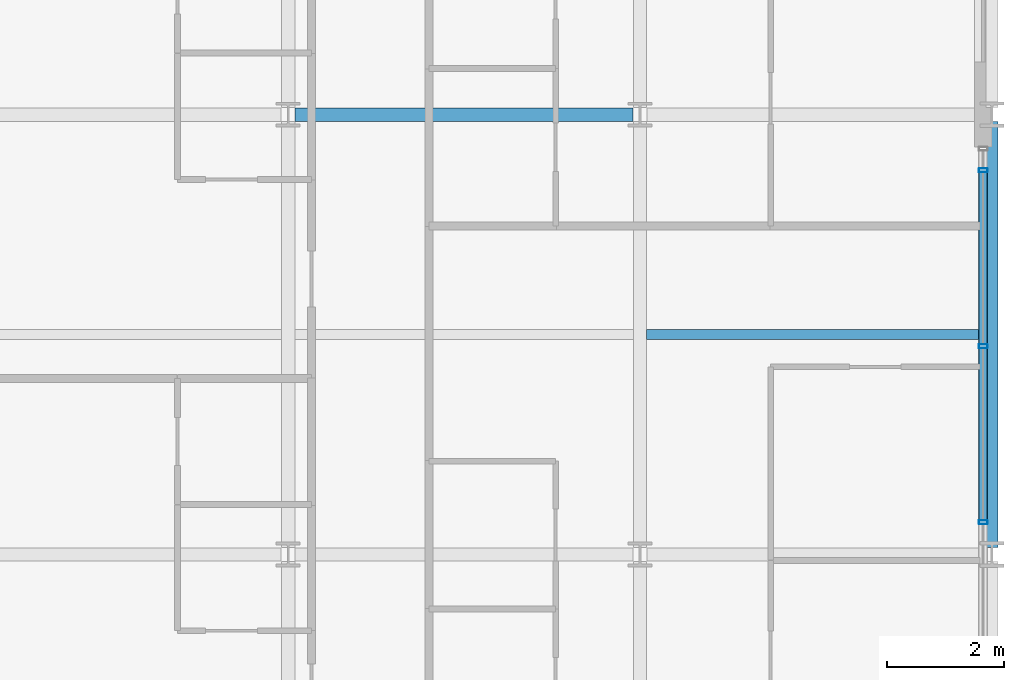
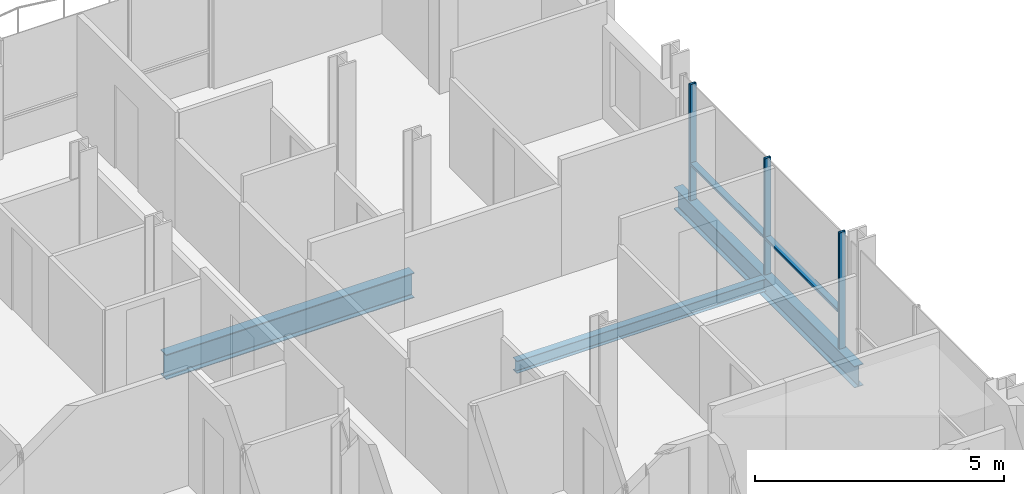
# One storey, part 19 of 40: 5 members, 3 beams, 1 element without a shape of its own.
"""IFC4 building model written with IfcOpenShell, lengths in metres."""

from ifc_helpers import new_model, si_unit, direction, frame, origin, origin_2d, place, context, subcontext, project, spatial, hollow_rectangle, i_section, extrude, material, layer, layer_set, material_profile, profile_set, type_object, element, aggregate, save


model = new_model("IFC4")

# Units and contexts
model_context = context("Model", 3, precision=1e-05, world=origin(), true_north=direction((0.0, 1.0)))
body_context = subcontext(model_context, "Body", "Model", "MODEL_VIEW")
ifc_project = project(units=[si_unit("LENGTHUNIT", "METRE"), si_unit("AREAUNIT", "SQUARE_METRE"), si_unit("VOLUMEUNIT", "CUBIC_METRE"), si_unit("PLANEANGLEUNIT", "RADIAN"), si_unit("MASSUNIT", "GRAM", prefix="KILO")], contexts=[model_context])

# Site, building, storey
site_placement = place(None, origin())
site = spatial("IfcSite", under=ifc_project, at=site_placement, CompositionType="ELEMENT")
building_placement = place(site_placement, origin())
building = spatial("IfcBuilding", under=site, at=building_placement, Name="Brevholm Reach", CompositionType="ELEMENT")
storey_placement = place(building_placement, frame((0.0, 0.0, 131.39990234375)))
storey = spatial("IfcBuildingStorey", under=building, at=storey_placement, Name="L39", CompositionType="ELEMENT", Elevation=131.39990234375)

# Beams
ifc_material_1 = material(Name="Structural Steel S355J2", Category="steel")
ifc_material_profile_1 = material_profile(ifc_material_1, i_section(OverallWidth=0.1650390625, OverallDepth=0.303466796875, WebThickness=0.006103515625, FlangeThickness=0.01025390625, FilletRadius=0.0087890625, at=origin_2d()), Name="UKB 305x165x40")
ifc_profile_set_1 = profile_set([ifc_material_profile_1], Name="Structural Steel S355J2")
beam_type_1 = type_object("IfcBeamType", Name="BM-B305", PredefinedType="BEAM", material=ifc_profile_set_1)
beam_1_placement = place(storey_placement, frame((54.114501953125, 19.75, -0.37158203125), z_axis=(1.0, 0.0, 0.0), x_axis=(0.0, 1.0, 0.0)))
element("IfcBeam", 1, at=beam_1_placement, inside=storey, type_object=beam_type_1, Name="L39 Composite Secondary Floor Beam", PredefinedType="BEAM", context=body_context, shape_type="SweptSolid", body=[
    extrude(i_section(OverallWidth=0.1650390625, OverallDepth=0.303466796875, WebThickness=0.006103515625, FlangeThickness=0.01025390625, FilletRadius=0.0087890625, at=origin_2d()), origin(), (0.0, 0.0, 1.0), 5.78076171875),
])
ifc_material_2 = material(Name="Structural Steel S355J2", Category="steel")
ifc_material_profile_2 = material_profile(ifc_material_2, i_section(OverallWidth=0.209228515625, OverallDepth=0.533203125, WebThickness=0.010009765625, FlangeThickness=0.015625, FilletRadius=0.0126953125, at=origin_2d()), Name="UKB 533x210x92")
ifc_profile_set_2 = profile_set([ifc_material_profile_2], Name="Structural Steel S355J2")
beam_type_2 = type_object("IfcBeamType", Name="BM-SP533", PredefinedType="SPANDREL", material=ifc_profile_set_2)
beam_2_placement = place(storey_placement, frame((60.0, 16.1201171875, -0.486572265625), z_axis=(0.0, 1.0, 0.0), x_axis=(-1.0, 0.0, 0.0)))
element("IfcBeam", 2, at=beam_2_placement, inside=storey, type_object=beam_type_2, Name="L39 SP-02 Framing Beam", PredefinedType="SPANDREL", context=body_context, shape_type="SweptSolid", body=[
    extrude(i_section(OverallWidth=0.209228515625, OverallDepth=0.533203125, WebThickness=0.010009765625, FlangeThickness=0.015625, FilletRadius=0.0126953125, at=origin_2d()), origin(), (0.0, 0.0, 1.0), 7.259765625),
])
ifc_material_3 = material(Name="Structural Steel S355J2", Category="steel")
ifc_material_profile_3 = material_profile(ifc_material_3, i_section(OverallWidth=0.22900390625, OverallDepth=0.6123046875, WebThickness=0.011962890625, FlangeThickness=0.01953125, FilletRadius=0.0126953125, at=origin_2d()), Name="UKB 610x229x125")
ifc_profile_set_3 = profile_set([ifc_material_profile_3], Name="Structural Steel S355J2")
beam_type_3 = type_object("IfcBeamType", Name="BM-SP610", PredefinedType="SPANDREL", material=ifc_profile_set_3)
beam_3_placement = place(storey_placement, frame((48.1201171875, 23.5, -0.526123046875), z_axis=(1.0, 0.0, 0.0), x_axis=(0.0, 1.0, 0.0)))
element("IfcBeam", 3, at=beam_3_placement, inside=storey, type_object=beam_type_3, Name="L39 SP-01 Framing Beam", PredefinedType="SPANDREL", context=body_context, shape_type="SweptSolid", body=[
    extrude(i_section(OverallWidth=0.22900390625, OverallDepth=0.6123046875, WebThickness=0.011962890625, FlangeThickness=0.01953125, FilletRadius=0.0126953125, at=origin_2d()), origin(), (0.0, 0.0, 1.0), 5.759765625),
])

# Curtain wall, members
ifc_material_4 = material(Name="Dark Anodised Aluminium 6063-T6 and Solar-Control Glass", Category="aluminium")
ifc_layer = layer(ifc_material_4, 0.14990234375)
ifc_layer_set = layer_set([ifc_layer], Name="Dark Anodised Aluminium 6063-T6 and Solar-Control Glass")
curtain_wall_type = type_object("IfcCurtainWallType", Name="CW-01", PredefinedType="NOTDEFINED", material=ifc_layer_set)
curtain_wall_placement = place(storey_placement, origin())
curtain_wall = element("IfcCurtainWall", 4, at=curtain_wall_placement, inside=storey, type_object=curtain_wall_type, Name="L39 Curtain Wall CW-01", PredefinedType="NOTDEFINED")
ifc_material_5 = material(Name="Dark Anodised Aluminium 6063-T6", Category="aluminium")
ifc_material_profile_4 = material_profile(ifc_material_5, hollow_rectangle(XDim=0.06494140625, YDim=0.14990234375, WallThickness=0.0048828125, InnerFilletRadius=0.0048828125, OuterFilletRadius=0.010009765625, at=origin_2d()), Name="RHS 150x65x5")
ifc_profile_set_4 = profile_set([ifc_material_profile_4], Name="Dark Anodised Aluminium 6063-T6")
member_type_1 = type_object("IfcMemberType", Name="CWM-150", PredefinedType="MULLION", material=ifc_profile_set_4)
member_1_placement = place(storey_placement, frame((59.85009765625, 16.550048828125, 0.0), z_axis=(0.0, 0.0, 1.0), x_axis=(0.0, 1.0, 0.0)))
member_1 = element("IfcMember", 5, at=member_1_placement, type_object=member_type_1, Name="CM-150 Mullion 3", PredefinedType="MULLION", context=body_context, shape_type="SweptSolid", body=[
    extrude(hollow_rectangle(XDim=0.06494140625, YDim=0.14990234375, WallThickness=0.0048828125, InnerFilletRadius=0.0048828125, OuterFilletRadius=0.010009765625, at=origin_2d()), origin(), (0.0, 0.0, 1.0), 2.85009765625),
])
member_2_placement = place(storey_placement, frame((59.85009765625, 19.550048828125, 0.0), z_axis=(0.0, 0.0, 1.0), x_axis=(0.0, 1.0, 0.0)))
member_2 = element("IfcMember", 6, at=member_2_placement, type_object=member_type_1, Name="CM-150 Mullion 4", PredefinedType="MULLION", context=body_context, shape_type="SweptSolid", body=[
    extrude(hollow_rectangle(XDim=0.06494140625, YDim=0.14990234375, WallThickness=0.0048828125, InnerFilletRadius=0.0048828125, OuterFilletRadius=0.010009765625, at=origin_2d()), origin(), (0.0, 0.0, 1.0), 2.85009765625),
])
member_3_placement = place(storey_placement, frame((59.85009765625, 22.550048828125, 0.0), z_axis=(0.0, 0.0, 1.0), x_axis=(0.0, 1.0, 0.0)))
member_3 = element("IfcMember", 7, at=member_3_placement, type_object=member_type_1, Name="CM-150 Mullion 5", PredefinedType="MULLION", context=body_context, shape_type="SweptSolid", body=[
    extrude(hollow_rectangle(XDim=0.06494140625, YDim=0.14990234375, WallThickness=0.0048828125, InnerFilletRadius=0.0048828125, OuterFilletRadius=0.010009765625, at=origin_2d()), origin(), (0.0, 0.0, 1.0), 2.85009765625),
])
ifc_material_6 = material(Name="Dark Anodised Aluminium 6063-T6", Category="aluminium")
ifc_material_profile_5 = material_profile(ifc_material_6, hollow_rectangle(XDim=0.06494140625, YDim=0.14990234375, WallThickness=0.0048828125, InnerFilletRadius=0.0048828125, OuterFilletRadius=0.010009765625, at=origin_2d()), Name="RHS 150x65x5")
ifc_profile_set_5 = profile_set([ifc_material_profile_5], Name="Dark Anodised Aluminium 6063-T6")
member_type_2 = type_object("IfcMemberType", Name="CWT-150", PredefinedType="NOTDEFINED", material=ifc_profile_set_5)
member_4_placement = place(storey_placement, frame((59.85009765625, 16.58251953125, 0.900146484375), z_axis=(0.0, 1.0, 0.0), x_axis=(0.0, 0.0, 1.0)))
member_4 = element("IfcMember", 8, at=member_4_placement, type_object=member_type_2, Name="CT-150 Transom 3.1", ObjectType="TRANSOM", PredefinedType="USERDEFINED", context=body_context, shape_type="SweptSolid", body=[
    extrude(hollow_rectangle(XDim=0.06494140625, YDim=0.14990234375, WallThickness=0.0048828125, InnerFilletRadius=0.0048828125, OuterFilletRadius=0.010009765625, at=origin_2d()), origin(), (0.0, 0.0, 1.0), 2.93505859375),
])
member_5_placement = place(storey_placement, frame((59.85009765625, 19.58251953125, 0.900146484375), z_axis=(0.0, 1.0, 0.0), x_axis=(0.0, 0.0, 1.0)))
member_5 = element("IfcMember", 9, at=member_5_placement, type_object=member_type_2, Name="CT-150 Transom 4.1", ObjectType="TRANSOM", PredefinedType="USERDEFINED", context=body_context, shape_type="SweptSolid", body=[
    extrude(hollow_rectangle(XDim=0.06494140625, YDim=0.14990234375, WallThickness=0.0048828125, InnerFilletRadius=0.0048828125, OuterFilletRadius=0.010009765625, at=origin_2d()), origin(), (0.0, 0.0, 1.0), 2.93505859375),
])
aggregate(curtain_wall, [member_1, member_2, member_3, member_4, member_5])

save(model, "model.ifc")
